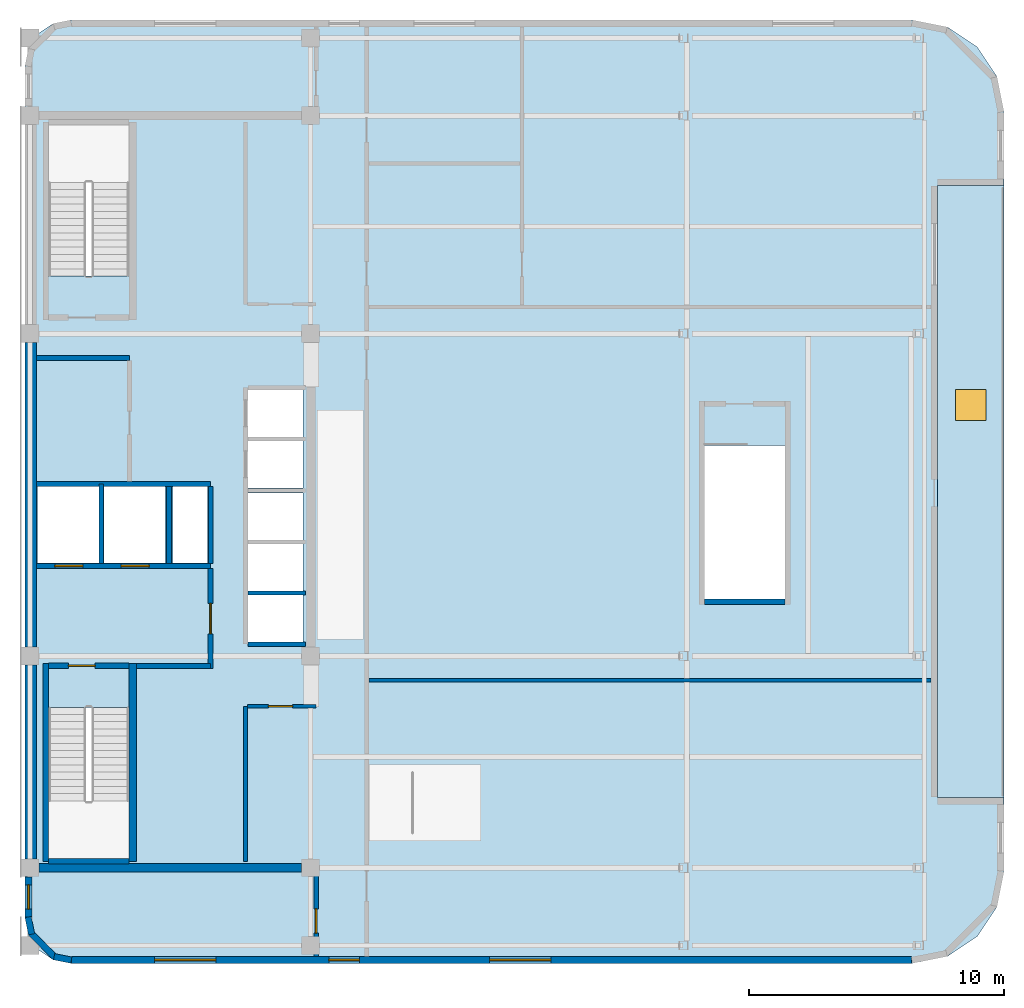
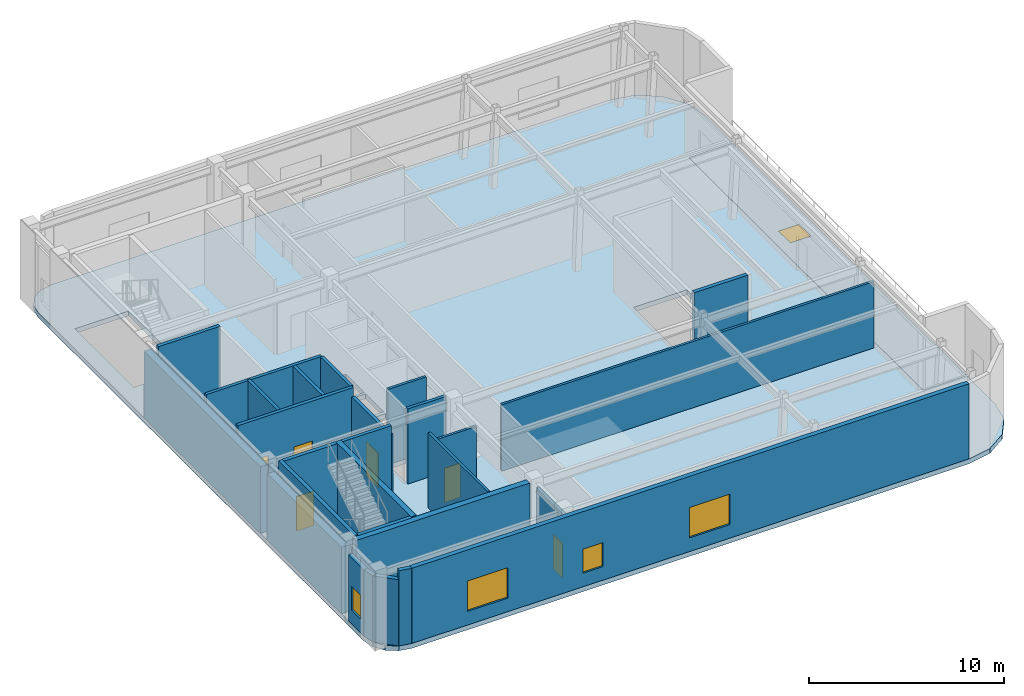
# One storey, part 2 of 6: 27 walls, 6 doors, 5 windows, 2 slabs, 11 openings.
"""IFC4 building model written with IfcOpenShell, lengths in metres."""

from ifc_helpers import new_model, si_unit, direction, frame, frame_2d, origin, origin_2d, place, context, subcontext, project, spatial, polyline, rectangle, outline, extrude, material, layer, layer_set, type_object, element, fill, save


model = new_model("IFC4")

# Units and contexts
model_context = context("Model", 3, precision=1e-05, world=origin(), true_north=direction((0.0, 1.0)))
body_context = subcontext(model_context, "Body", "Model", "MODEL_VIEW")
ifc_project = project(units=[si_unit("LENGTHUNIT", "METRE"), si_unit("AREAUNIT", "SQUARE_METRE"), si_unit("VOLUMEUNIT", "CUBIC_METRE"), si_unit("PLANEANGLEUNIT", "RADIAN"), si_unit("MASSUNIT", "GRAM", prefix="KILO")], contexts=[model_context])

# Site, building, storey
site_placement = place(None, origin())
site = spatial("IfcSite", under=ifc_project, at=site_placement, CompositionType="ELEMENT")
building_placement = place(site_placement, origin())
building = spatial("IfcBuilding", under=site, at=building_placement, Name="Ochreholt Gables", CompositionType="ELEMENT")
storey_placement = place(building_placement, frame((0.0, 0.0, 282.0)))
storey = spatial("IfcBuildingStorey", under=building, at=storey_placement, Name="L74", CompositionType="ELEMENT", Elevation=282.0)

# Slab, opening, window
ifc_material_1 = material(Name="Concrete 40 MPa", Category="concrete")
ifc_layer_1 = layer(ifc_material_1, 0.260009765625, Name="Concrete 40 MPa")
ifc_layer_set_1 = layer_set([ifc_layer_1], Name="Concrete 40 MPa")
slab_type_1 = type_object("IfcSlabType", Name="SLAB-TER-260", PredefinedType="FLOOR", material=ifc_layer_set_1)
slab_1_placement = place(storey_placement, frame((0.0, 0.0, -0.260009765625)))
slab_1 = element("IfcSlab", 1, at=slab_1_placement, inside=storey, type_object=slab_type_1, Name="L74 Outdoor Terrace Slab TR-L74-OBS", PredefinedType="FLOOR", context=body_context, shape_type="SweptSolid", body=[
    extrude(outline(polyline([(59.80029296875, 12.00048828125), (62.39990234375, 12.00048828125), (62.39990234375, 35.99951171875), (59.80029296875, 35.99951171875), (59.80029296875, 12.00048828125)])), origin(), (0.0, 0.0, 1.0), 0.260009765625),
])
opening_1_placement = place(slab_1_placement, frame((61.10009765625, 27.39990234375, 0.0)))
opening_1 = element("IfcOpeningElement", 2, at=opening_1_placement, cuts=slab_1, Name="Opening SK-1", PredefinedType="OPENING", context=body_context, shape_type="SweptSolid", body=[
    extrude(rectangle(XDim=1.199951171875, YDim=1.199951171875, at=origin_2d()), frame((0.0, 0.0, -0.010009765625)), (0.0, 0.0, 1.0), 0.280029296875),
])
ifc_material_2 = material(Name="Triple-Glazed Thermally Broken Aluminium Window", Category="aluminium")
window_type_1 = type_object("IfcWindowType", Name="SKY-TER-1200", PartitioningType="SINGLE_PANEL", PredefinedType="SKYLIGHT", material=ifc_material_2)
window_1_placement = place(opening_1_placement, frame((0.0, 0.0, 0.2099609375)))
window_1 = element("IfcWindow", 3, at=window_1_placement, inside=storey, type_object=window_type_1, Name="L74 Terrace Daylight Skylight TR-L74-OBS", OverallHeight=1.199951171875, OverallWidth=1.199951171875, PartitioningType="SINGLE_PANEL", PredefinedType="SKYLIGHT", context=body_context, shape_type="SweptSolid", body=[
    extrude(rectangle(XDim=1.199951171875, YDim=1.199951171875, at=origin_2d()), origin(), (0.0, 0.0, 1.0), 0.050048828125),
])
fill(opening_1, window_1)

# Slab
ifc_material_3 = material(Name="Concrete 50 MPa", Category="concrete")
ifc_layer_2 = layer(ifc_material_3, 0.300048828125, Name="Concrete 50 MPa")
ifc_layer_set_2 = layer_set([ifc_layer_2], Name="Concrete 50 MPa")
slab_type_2 = type_object("IfcSlabType", Name="SLAB-TRN-300", PredefinedType="FLOOR", material=ifc_layer_set_2)
slab_2_placement = place(storey_placement, frame((0.0, 0.0, -0.300048828125)))
element("IfcSlab", 4, at=slab_2_placement, inside=storey, type_object=slab_type_2, Name="L74 Structural Floor Slab", PredefinedType="FLOOR", context=body_context, shape_type="SweptSolid", body=[
    extrude(outline(polyline([(62.39990234375, 12.0), (59.800048828125, 12.0), (59.800048828125, 36.0), (62.39990234375, 36.0), (62.39990234375, 38.89990234375), (62.1259765625, 40.277587890625), (61.345703125, 41.445556640625), (60.177734375, 42.22607421875), (58.800048828125, 42.5), (25.800048828125, 42.5), (25.111083984375, 42.363037109375), (24.527099609375, 41.972900390625), (24.136962890625, 41.388916015625), (24.0, 40.699951171875), (24.0, 7.300048828125), (24.136962890625, 6.611083984375), (24.527099609375, 6.027099609375), (25.111083984375, 5.636962890625), (25.800048828125, 5.5), (58.800048828125, 5.5), (60.177734375, 5.77392578125), (61.345703125, 6.554443359375), (62.1259765625, 7.722412109375), (62.39990234375, 9.10009765625), (62.39990234375, 12.0)]), holes=[polyline([(24.919921875, 15.539306640625), (24.919921875, 9.52001953125), (28.080078125, 9.52001953125), (28.080078125, 15.539306640625), (24.919921875, 15.539306640625)]), polyline([(28.080078125, 32.460693359375), (28.080078125, 38.47998046875), (24.919921875, 38.47998046875), (24.919921875, 32.460693359375), (28.080078125, 32.460693359375)]), polyline([(50.64990234375, 25.819091796875), (50.64990234375, 19.800048828125), (53.81005859375, 19.800048828125), (53.81005859375, 25.819091796875), (50.64990234375, 25.819091796875)]), polyline([(24.5, 21.199951171875), (26.89990234375, 21.199951171875), (26.89990234375, 24.199951171875), (24.5, 24.199951171875), (24.5, 21.199951171875)]), polyline([(27.10009765625, 21.199951171875), (29.5, 21.199951171875), (29.5, 24.199951171875), (27.10009765625, 24.199951171875), (27.10009765625, 21.199951171875)]), polyline([(32.75, 18.10009765625), (34.89990234375, 18.10009765625), (34.89990234375, 19.949951171875), (32.75, 19.949951171875), (32.75, 18.10009765625)]), polyline([(32.75, 20.10009765625), (34.89990234375, 20.10009765625), (34.89990234375, 21.949951171875), (32.75, 21.949951171875), (32.75, 20.10009765625)]), polyline([(32.75, 22.10009765625), (34.89990234375, 22.10009765625), (34.89990234375, 23.949951171875), (32.75, 23.949951171875), (32.75, 22.10009765625)]), polyline([(32.75, 24.14990234375), (34.89990234375, 24.14990234375), (34.89990234375, 26.0), (32.75, 26.0), (32.75, 24.14990234375)]), polyline([(32.75, 26.14990234375), (34.89990234375, 26.14990234375), (34.89990234375, 28.0), (32.75, 28.0), (32.75, 26.14990234375)]), polyline([(29.800048828125, 21.199951171875), (31.14990234375, 21.199951171875), (31.14990234375, 24.199951171875), (29.800048828125, 24.199951171875), (29.800048828125, 21.199951171875)])]), origin(), (0.0, 0.0, 1.0), 0.300048828125),
])

# Walls
ifc_layer_3 = layer(ifc_material_3, 0.35009765625, Name="Concrete 50 MPa")
ifc_layer_set_3 = layer_set([ifc_layer_3], Name="Concrete 50 MPa")
wall_type_1 = type_object("IfcWallType", Name="WALL-CSW-350", PredefinedType="SHEAR", material=ifc_layer_set_3)
wall_1_placement = place(storey_placement, frame((24.550048828125, 9.25, 0.0), z_axis=(0.0, 0.0, 1.0), x_axis=(1.0, 0.0, 0.0)))
element("IfcWall", 5, at=wall_1_placement, inside=storey, type_object=wall_type_1, Name="L74 Core South Shear Wall", PredefinedType="SHEAR", context=body_context, shape_type="SweptSolid", body=[
    extrude(rectangle(XDim=10.300048828125, YDim=0.35009765625, at=frame_2d((5.14990234375, 0.0))), origin(), (0.0, 0.0, 1.0), 4.699951171875),
])
ifc_layer_4 = layer(ifc_material_3, 0.449951171875, Name="Concrete 50 MPa")
ifc_layer_set_4 = layer_set([ifc_layer_4], Name="Concrete 50 MPa")
wall_type_2 = type_object("IfcWallType", Name="WALL-CSW-EXT", PredefinedType="SHEAR", material=ifc_layer_set_4)
wall_2_placement = place(storey_placement, frame((24.22509765625, 9.60009765625, 0.0), z_axis=(0.0, 0.0, 1.0), x_axis=(0.0, 1.0, 0.0)))
element("IfcWall", 6, at=wall_2_placement, inside=storey, type_object=wall_type_2, Name="L74 Core West Shear Wall WS", PredefinedType="SHEAR", context=body_context, shape_type="SweptSolid", body=[
    extrude(rectangle(XDim=7.599853515625, YDim=0.449951171875, at=frame_2d((3.7998046875, 0.0))), origin(), (0.0, 0.0, 1.0), 4.160888671875),
])
wall_3_placement = place(storey_placement, frame((24.22509765625, 17.89990234375, 0.0), z_axis=(0.0, 0.0, 1.0), x_axis=(0.0, 1.0, 0.0)))
element("IfcWall", 7, at=wall_3_placement, inside=storey, type_object=wall_type_2, Name="L74 Core West Shear Wall WM", PredefinedType="SHEAR", context=body_context, shape_type="SweptSolid", body=[
    extrude(rectangle(XDim=11.9501953125, YDim=0.449951171875, at=frame_2d((5.97509765625, 0.0))), origin(), (0.0, 0.0, 1.0), 4.160888671875),
])

# Wall, openings, windows
ifc_material_4 = material(Name="Precast concrete 40 MPa", Category="concrete")
ifc_layer_5 = layer(ifc_material_4, 0.27001953125, Name="Precast concrete 40 MPa")
ifc_layer_set_5 = layer_set([ifc_layer_5], Name="Precast concrete 40 MPa")
wall_type_3 = type_object("IfcWallType", Name="WALL-EXT-270", PredefinedType="SOLIDWALL", material=ifc_layer_set_5)
wall_4_placement = place(storey_placement, frame((25.820068359375, 5.635009765625, 0.0), z_axis=(0.0, 0.0, 1.0), x_axis=(1.0, 0.0, 0.0)))
wall_4 = element("IfcWall", 8, at=wall_4_placement, inside=storey, type_object=wall_type_3, Name="L74 South Exterior Wall", PredefinedType="SOLIDWALL", context=body_context, shape_type="SweptSolid", body=[
    extrude(rectangle(XDim=32.9599609375, YDim=0.27001953125, at=frame_2d((16.47998046875, 0.0))), origin(), (0.0, 0.0, 1.0), 4.699951171875),
])
opening_2_placement = place(wall_4_placement, frame((3.27001953125, 0.0, 0.85009765625)))
opening_2 = element("IfcOpeningElement", 9, at=opening_2_placement, cuts=wall_4, Name="Opening WN-5", PredefinedType="OPENING", context=body_context, shape_type="SweptSolid", body=[
    extrude(rectangle(XDim=2.39990234375, YDim=1.89990234375, at=frame_2d((1.199951171875, 0.949951171875))), frame((0.0, 0.14501953125, 0.0), z_axis=(0.0, -1.0, 0.0), x_axis=(1.0, 0.0, 0.0)), (0.0, 0.0, 1.0), 0.2900390625),
])
opening_3_placement = place(wall_4_placement, frame((10.10009765625, 0.0, 0.85009765625)))
opening_3 = element("IfcOpeningElement", 10, at=opening_3_placement, cuts=wall_4, Name="Opening WN-3", PredefinedType="OPENING", context=body_context, shape_type="SweptSolid", body=[
    extrude(rectangle(XDim=1.199951171875, YDim=1.5, at=frame_2d((0.60009765625, 0.75))), frame((0.0, 0.14501953125, 0.0), z_axis=(0.0, -1.0, 0.0), x_axis=(1.0, 0.0, 0.0)), (0.0, 0.0, 1.0), 0.2900390625),
])
opening_4_placement = place(wall_4_placement, frame((16.40673828125, 0.0, 0.85009765625)))
opening_4 = element("IfcOpeningElement", 11, at=opening_4_placement, cuts=wall_4, Name="Opening WN-5", PredefinedType="OPENING", context=body_context, shape_type="SweptSolid", body=[
    extrude(rectangle(XDim=2.39990234375, YDim=1.89990234375, at=frame_2d((1.199951171875, 0.949951171875))), frame((0.0, 0.14501953125, 0.0), z_axis=(0.0, -1.0, 0.0), x_axis=(1.0, 0.0, 0.0)), (0.0, 0.0, 1.0), 0.2900390625),
])
window_type_2 = type_object("IfcWindowType", Name="WIN-COM-2400", PartitioningType="SINGLE_PANEL", PredefinedType="WINDOW", material=ifc_material_2)
window_2_placement = place(opening_2_placement, origin())
window_2 = element("IfcWindow", 12, at=window_2_placement, inside=storey, type_object=window_type_2, Name="L74 Window W-EXT-S-L74-1", OverallHeight=1.89990234375, OverallWidth=2.39990234375, PartitioningType="SINGLE_PANEL", PredefinedType="WINDOW", context=body_context, shape_type="SweptSolid", body=[
    extrude(rectangle(XDim=2.39990234375, YDim=1.89990234375, at=frame_2d((1.199951171875, 0.949951171875))), frame((0.0, 0.030029296875, 0.0), z_axis=(0.0, -1.0, 0.0), x_axis=(1.0, 0.0, 0.0)), (0.0, 0.0, 1.0), 0.06005859375),
])
fill(opening_2, window_2)
window_3_placement = place(opening_4_placement, origin())
window_3 = element("IfcWindow", 13, at=window_3_placement, inside=storey, type_object=window_type_2, Name="L74 Window W-EXT-S-L74-3", OverallHeight=1.89990234375, OverallWidth=2.39990234375, PartitioningType="SINGLE_PANEL", PredefinedType="WINDOW", context=body_context, shape_type="SweptSolid", body=[
    extrude(rectangle(XDim=2.39990234375, YDim=1.89990234375, at=frame_2d((1.199951171875, 0.949951171875))), frame((0.0, 0.030029296875, 0.0), z_axis=(0.0, -1.0, 0.0), x_axis=(1.0, 0.0, 0.0)), (0.0, 0.0, 1.0), 0.06005859375),
])
fill(opening_4, window_3)
window_type_3 = type_object("IfcWindowType", Name="WIN-RES-1200", PartitioningType="SINGLE_PANEL", PredefinedType="WINDOW", material=ifc_material_2)
window_4_placement = place(opening_3_placement, origin())
window_4 = element("IfcWindow", 14, at=window_4_placement, inside=storey, type_object=window_type_3, Name="L74 Window W-EXT-S-L74-2", OverallHeight=1.5, OverallWidth=1.199951171875, PartitioningType="SINGLE_PANEL", PredefinedType="WINDOW", context=body_context, shape_type="SweptSolid", body=[
    extrude(rectangle(XDim=1.199951171875, YDim=1.5, at=frame_2d((0.60009765625, 0.75))), frame((0.0, 0.030029296875, 0.0), z_axis=(0.0, -1.0, 0.0), x_axis=(1.0, 0.0, 0.0)), (0.0, 0.0, 1.0), 0.06005859375),
])
fill(opening_3, window_4)

# Wall, opening, window
wall_5_placement = place(storey_placement, frame((24.135009765625, 7.320068359375, 0.0), z_axis=(0.0, 0.0, 1.0), x_axis=(0.0, 1.0, 0.0)))
wall_5 = element("IfcWall", 15, at=wall_5_placement, inside=storey, type_object=wall_type_3, Name="L74 West Facade South Bay Wall", PredefinedType="SOLIDWALL", context=body_context, shape_type="SweptSolid", body=[
    extrude(rectangle(XDim=1.559814453125, YDim=0.27001953125, at=frame_2d((0.77978515625, 0.0))), origin(), (0.0, 0.0, 1.0), 4.14306640625),
])
opening_5_placement = place(wall_5_placement, frame((0.304931640625, 0.0, 0.85009765625)))
opening_5 = element("IfcOpeningElement", 16, at=opening_5_placement, cuts=wall_5, Name="Opening WN-10", PredefinedType="OPENING", context=body_context, shape_type="SweptSolid", body=[
    extrude(rectangle(XDim=0.949951171875, YDim=1.5, at=frame_2d((0.47509765625, 0.75))), frame((0.0, 0.14501953125, 0.0), z_axis=(0.0, -1.0, 0.0), x_axis=(1.0, 0.0, 0.0)), (0.0, 0.0, 1.0), 0.2900390625),
])
window_type_4 = type_object("IfcWindowType", Name="WIN-RES-950", PartitioningType="SINGLE_PANEL", PredefinedType="WINDOW", material=ifc_material_2)
window_5_placement = place(opening_5_placement, origin())
window_5 = element("IfcWindow", 17, at=window_5_placement, inside=storey, type_object=window_type_4, Name="L74 South Sky Lounge West Window", OverallHeight=1.5, OverallWidth=0.949951171875, PartitioningType="SINGLE_PANEL", PredefinedType="WINDOW", context=body_context, shape_type="SweptSolid", body=[
    extrude(rectangle(XDim=0.949951171875, YDim=1.5, at=frame_2d((0.47509765625, 0.75))), frame((0.0, 0.030029296875, 0.0), z_axis=(0.0, -1.0, 0.0), x_axis=(1.0, 0.0, 0.0)), (0.0, 0.0, 1.0), 0.06005859375),
])
fill(opening_5, window_5)

# Walls
ifc_layer_6 = layer(ifc_material_4, 0.25, Name="Precast concrete 40 MPa")
ifc_layer_set_6 = layer_set([ifc_layer_6], Name="Precast concrete 40 MPa")
wall_type_4 = type_object("IfcWallType", Name="WALL-EXT-CNR", PredefinedType="SOLIDWALL", material=ifc_layer_set_6)
wall_6_placement = place(storey_placement, frame((24.124267578125, 7.31640625, 0.0), z_axis=(0.0, 0.0, 1.0), x_axis=(0.194952956674, -0.980812594069, 0.0)))
element("IfcWall", 18, at=wall_6_placement, inside=storey, type_object=wall_type_4, Name="L74 Rounded Corner Wall SW-1", PredefinedType="SOLIDWALL", context=body_context, shape_type="SweptSolid", body=[
    extrude(rectangle(XDim=0.686279296875, YDim=0.25, at=frame_2d((0.34326171875, 0.0))), origin(), (0.0, 0.0, 1.0), 4.14306640625),
])
wall_7_placement = place(storey_placement, frame((24.23095703125, 6.69384765625, 0.0), z_axis=(0.0, 0.0, 1.0), x_axis=(0.707106781187, -0.707106781187, 0.0)))
element("IfcWall", 19, at=wall_7_placement, inside=storey, type_object=wall_type_4, Name="L74 Rounded Corner Wall SW-2", PredefinedType="SOLIDWALL", context=body_context, shape_type="SweptSolid", body=[
    extrude(rectangle(XDim=1.36181640625, YDim=0.25, at=frame_2d((0.680908203125, 0.0))), origin(), (0.0, 0.0, 1.0), 4.14306640625),
])
wall_8_placement = place(storey_placement, frame((25.143310546875, 5.758056640625, 0.0), z_axis=(0.0, 0.0, 1.0), x_axis=(0.980812594069, -0.194952956674, 0.0)))
element("IfcWall", 20, at=wall_8_placement, inside=storey, type_object=wall_type_4, Name="L74 Rounded Corner Wall SW-3", PredefinedType="SOLIDWALL", context=body_context, shape_type="SweptSolid", body=[
    extrude(rectangle(XDim=0.686279296875, YDim=0.25, at=frame_2d((0.34326171875, 0.0))), origin(), (0.0, 0.0, 1.0), 4.699951171875),
])

# Wall, openings, doors
ifc_layer_7 = layer(ifc_material_1, 0.199951171875, Name="Concrete 40 MPa")
ifc_layer_set_7 = layer_set([ifc_layer_7], Name="Concrete 40 MPa")
wall_type_5 = type_object("IfcWallType", Name="WALL-INT-CF200", PredefinedType="STANDARD", material=ifc_layer_set_7)
wall_9_placement = place(storey_placement, frame((24.449951171875, 21.090087890625, 0.0), z_axis=(0.0, 0.0, 1.0), x_axis=(1.0, 0.0, 0.0)))
wall_9 = element("IfcWall", 21, at=wall_9_placement, inside=storey, type_object=wall_type_5, Name="L74 Interior Wall WI-FFN-L74", PredefinedType="STANDARD", context=body_context, shape_type="SweptSolid", body=[
    extrude(rectangle(XDim=6.830078125, YDim=0.199951171875, at=frame_2d((3.4150390625, 0.0))), origin(), (0.0, 0.0, 1.0), 4.699951171875),
])
opening_6_placement = place(wall_9_placement, frame((0.719970703125, 0.0, 0.0)))
opening_6 = element("IfcOpeningElement", 22, at=opening_6_placement, cuts=wall_9, Name="Opening LD-FF", PredefinedType="OPENING", context=body_context, shape_type="SweptSolid", body=[
    extrude(rectangle(XDim=1.10009765625, YDim=2.199951171875, at=frame_2d((0.550048828125, 1.10009765625))), frame((0.0, 0.10986328125, 0.0), z_axis=(0.0, -1.0, 0.0), x_axis=(1.0, 0.0, 0.0)), (0.0, 0.0, 1.0), 0.219970703125),
])
opening_7_placement = place(wall_9_placement, frame((3.320068359375, 0.0, 0.0)))
opening_7 = element("IfcOpeningElement", 23, at=opening_7_placement, cuts=wall_9, Name="Opening LD-FF", PredefinedType="OPENING", context=body_context, shape_type="SweptSolid", body=[
    extrude(rectangle(XDim=1.10009765625, YDim=2.199951171875, at=frame_2d((0.550048828125, 1.10009765625))), frame((0.0, 0.10986328125, 0.0), z_axis=(0.0, -1.0, 0.0), x_axis=(1.0, 0.0, 0.0)), (0.0, 0.0, 1.0), 0.219970703125),
])
ifc_material_5 = material(Name="Stainless Steel", Category="steel")
door_type_1 = type_object("IfcDoorType", Name="DR-LFT-FF1100", OperationType="NOTDEFINED", PredefinedType="DOOR", material=ifc_material_5)
door_1_placement = place(opening_6_placement, origin())
door_1 = element("IfcDoor", 24, at=door_1_placement, inside=storey, type_object=door_type_1, Name="L74 Door LD-FF1-L74", OperationType="SLIDING_TO_LEFT", OverallHeight=2.199951171875, OverallWidth=1.10009765625, PredefinedType="DOOR", context=body_context, shape_type="SweptSolid", body=[
    extrude(rectangle(XDim=1.10009765625, YDim=2.199951171875, at=frame_2d((0.550048828125, 1.10009765625))), frame((0.0, 0.02490234375, 0.0), z_axis=(0.0, -1.0, 0.0), x_axis=(1.0, 0.0, 0.0)), (0.0, 0.0, 1.0), 0.050048828125),
])
fill(opening_6, door_1)
door_2_placement = place(opening_7_placement, origin())
door_2 = element("IfcDoor", 25, at=door_2_placement, inside=storey, type_object=door_type_1, Name="L74 Door LD-FF2-L74", OperationType="SLIDING_TO_LEFT", OverallHeight=2.199951171875, OverallWidth=1.10009765625, PredefinedType="DOOR", context=body_context, shape_type="SweptSolid", body=[
    extrude(rectangle(XDim=1.10009765625, YDim=2.199951171875, at=frame_2d((0.550048828125, 1.10009765625))), frame((0.0, 0.02490234375, 0.0), z_axis=(0.0, -1.0, 0.0), x_axis=(1.0, 0.0, 0.0)), (0.0, 0.0, 1.0), 0.050048828125),
])
fill(opening_7, door_2)

# Wall
wall_10_placement = place(storey_placement, frame((28.3798828125, 17.169921875, 0.0), z_axis=(0.0, 0.0, 1.0), x_axis=(1.0, 0.0, 0.0)))
element("IfcWall", 26, at=wall_10_placement, inside=storey, type_object=wall_type_5, Name="L74 Interior Wall WI-FFS-L74", PredefinedType="STANDARD", context=body_context, shape_type="SweptSolid", body=[
    extrude(rectangle(XDim=2.900146484375, YDim=0.199951171875, at=frame_2d((1.4501953125, 0.0))), origin(), (0.0, 0.0, 1.0), 4.699951171875),
])

# Wall, opening, door
wall_11_placement = place(storey_placement, frame((31.280029296875, 17.070068359375, 0.0), z_axis=(0.0, 0.0, 1.0), x_axis=(0.0, 1.0, 0.0)))
wall_11 = element("IfcWall", 27, at=wall_11_placement, inside=storey, type_object=wall_type_5, Name="L74 Interior Wall WI-FFE-L74", PredefinedType="STANDARD", context=body_context, shape_type="SweptSolid", body=[
    extrude(rectangle(XDim=3.919921875, YDim=0.199951171875, at=frame_2d((1.9599609375, 0.0))), origin(), (0.0, 0.0, 1.0), 4.14306640625),
])
opening_8_placement = place(wall_11_placement, frame((1.35009765625, 0.0, 0.0)))
opening_8 = element("IfcOpeningElement", 28, at=opening_8_placement, cuts=wall_11, Name="Opening D-FFL", PredefinedType="OPENING", context=body_context, shape_type="SweptSolid", body=[
    extrude(rectangle(XDim=1.199951171875, YDim=2.14990234375, at=frame_2d((0.60009765625, 1.074951171875))), frame((0.0, 0.10986328125, 0.0), z_axis=(0.0, -1.0, 0.0), x_axis=(1.0, 0.0, 0.0)), (0.0, 0.0, 1.0), 0.219970703125),
])
ifc_material_6 = material(Name="Hollow Metal Steel", Category="steel")
door_type_2 = type_object("IfcDoorType", Name="DR-INT-FFL1200", OperationType="NOTDEFINED", PredefinedType="DOOR", material=ifc_material_6)
door_3_placement = place(opening_8_placement, origin())
door_3 = element("IfcDoor", 29, at=door_3_placement, inside=storey, type_object=door_type_2, Name="L74 Door D-FFL-L74", OperationType="SINGLE_SWING_LEFT", OverallHeight=2.14990234375, OverallWidth=1.199951171875, PredefinedType="DOOR", context=body_context, shape_type="SweptSolid", body=[
    extrude(rectangle(XDim=1.199951171875, YDim=2.14990234375, at=frame_2d((0.60009765625, 1.074951171875))), frame((0.0, 0.02490234375, 0.0), z_axis=(0.0, -1.0, 0.0), x_axis=(1.0, 0.0, 0.0)), (0.0, 0.0, 1.0), 0.050048828125),
])
fill(opening_8, door_3)

# Wall
wall_12_placement = place(storey_placement, frame((24.449951171875, 29.239990234375, 0.0), z_axis=(0.0, 0.0, 1.0), x_axis=(1.0, 0.0, 0.0)))
element("IfcWall", 30, at=wall_12_placement, inside=storey, type_object=wall_type_5, Name="L74 Interior Wall WI-SRVN-L74", PredefinedType="STANDARD", context=body_context, shape_type="SweptSolid", body=[
    extrude(rectangle(XDim=3.650146484375, YDim=0.199951171875, at=frame_2d((1.8251953125, 0.0))), origin(), (0.0, 0.0, 1.0), 4.699951171875),
])

# Wall, opening, door
ifc_material_7 = material(Name="Fire-Rated Gypsum Acoustic Partition", Category="gypsum")
ifc_layer_8 = layer(ifc_material_7, 0.179931640625, Name="Fire-Rated Gypsum Acoustic Partition")
ifc_layer_set_8 = layer_set([ifc_layer_8], Name="Fire-Rated Gypsum Acoustic Partition")
wall_type_6 = type_object("IfcWallType", Name="WALL-INT-CR180", PredefinedType="STANDARD", material=ifc_layer_set_8)
wall_13_placement = place(storey_placement, frame((35.419921875, 5.77001953125, 0.0), z_axis=(0.0, 0.0, 1.0), x_axis=(0.0, 1.0, 0.0)))
wall_13 = element("IfcWall", 31, at=wall_13_placement, inside=storey, type_object=wall_type_6, Name="L74 Interior Wall WI-CMCSW0-L74", PredefinedType="STANDARD", context=body_context, shape_type="SweptSolid", body=[
    extrude(rectangle(XDim=3.47998046875, YDim=0.179931640625, at=frame_2d((1.739990234375, 0.0))), origin(), (0.0, 0.0, 1.0), 4.14306640625),
])
opening_9_placement = place(wall_13_placement, frame((0.919921875, 0.0, 0.0)))
opening_9 = element("IfcOpeningElement", 32, at=opening_9_placement, cuts=wall_13, Name="Opening D-GN1", PredefinedType="OPENING", context=body_context, shape_type="SweptSolid", body=[
    extrude(rectangle(XDim=0.949951171875, YDim=2.14990234375, at=frame_2d((0.47509765625, 1.074951171875))), frame((0.0, 0.099853515625, 0.0), z_axis=(0.0, -1.0, 0.0), x_axis=(1.0, 0.0, 0.0)), (0.0, 0.0, 1.0), 0.199951171875),
])
ifc_material_8 = material(Name="Engineered Oak Timber", Category="wood")
door_type_3 = type_object("IfcDoorType", Name="DR-INT-GEN950", OperationType="NOTDEFINED", PredefinedType="DOOR", material=ifc_material_8)
door_4_placement = place(opening_9_placement, origin())
door_4 = element("IfcDoor", 33, at=door_4_placement, inside=storey, type_object=door_type_3, Name="L74 Door D-CMCS-L74", OperationType="SINGLE_SWING_LEFT", OverallHeight=2.14990234375, OverallWidth=0.949951171875, PredefinedType="DOOR", context=body_context, shape_type="SweptSolid", body=[
    extrude(rectangle(XDim=0.949951171875, YDim=2.14990234375, at=frame_2d((0.47509765625, 1.074951171875))), frame((0.0, 0.02490234375, 0.0), z_axis=(0.0, -1.0, 0.0), x_axis=(1.0, 0.0, 0.0)), (0.0, 0.0, 1.0), 0.050048828125),
])
fill(opening_9, door_4)

# Walls
ifc_material_9 = material(Name="Lightweight Stud Partition", Category="gypsum")
ifc_layer_9 = layer(ifc_material_9, 0.14501953125, Name="Lightweight Stud Partition")
ifc_layer_set_9 = layer_set([ifc_layer_9], Name="Lightweight Stud Partition")
wall_type_7 = type_object("IfcWallType", Name="WALL-INT-PT145", PredefinedType="PARTITIONING", material=ifc_layer_set_9)
wall_14_placement = place(storey_placement, frame((37.489990234375, 16.60009765625, 0.0), z_axis=(0.0, 0.0, 1.0), x_axis=(1.0, 0.0, 0.0)))
element("IfcWall", 34, at=wall_14_placement, inside=storey, type_object=wall_type_7, Name="L74 Interior Wall WI-CME1-L74", PredefinedType="PARTITIONING", context=body_context, shape_type="SweptSolid", body=[
    extrude(rectangle(XDim=22.0400390625, YDim=0.14501953125, at=frame_2d((11.02001953125, 0.0))), origin(), (0.0, 0.0, 1.0), 4.14306640625),
])
wall_15_placement = place(storey_placement, frame((32.64990234375, 9.5, 0.0), z_axis=(0.0, 0.0, 1.0), x_axis=(0.0, 1.0, 0.0)))
element("IfcWall", 35, at=wall_15_placement, inside=storey, type_object=wall_type_7, Name="L74 Interior Wall WI-CMRCLW-L74", PredefinedType="PARTITIONING", context=body_context, shape_type="SweptSolid", body=[
    extrude(rectangle(XDim=6.080078125, YDim=0.14501953125, at=frame_2d((3.0400390625, 0.0))), origin(), (0.0, 0.0, 1.0), 4.699951171875),
])

# Wall, opening, door
wall_16_placement = place(storey_placement, frame((32.722412109375, 15.580078125, 0.0), z_axis=(0.0, 0.0, 1.0), x_axis=(1.0, 0.0, 0.0)))
wall_16 = element("IfcWall", 36, at=wall_16_placement, inside=storey, type_object=wall_type_7, Name="L74 Interior Wall WI-CMRCLN-L74", PredefinedType="PARTITIONING", context=body_context, shape_type="SweptSolid", body=[
    extrude(rectangle(XDim=2.697509765625, YDim=0.14501953125, at=frame_2d((1.3486328125, 0.0))), origin(), (0.0, 0.0, 1.0), 4.14306640625),
])
opening_10_placement = place(wall_16_placement, frame((0.827392578125, 0.0, 0.0)))
opening_10 = element("IfcOpeningElement", 37, at=opening_10_placement, cuts=wall_16, Name="Opening D-GN1", PredefinedType="OPENING", context=body_context, shape_type="SweptSolid", body=[
    extrude(rectangle(XDim=0.949951171875, YDim=2.14990234375, at=frame_2d((0.47509765625, 1.074951171875))), frame((0.0, 0.08251953125, 0.0), z_axis=(0.0, -1.0, 0.0), x_axis=(1.0, 0.0, 0.0)), (0.0, 0.0, 1.0), 0.1650390625),
])
door_5_placement = place(opening_10_placement, origin())
door_5 = element("IfcDoor", 38, at=door_5_placement, inside=storey, type_object=door_type_3, Name="L74 Door D-CMRCL-L74", OperationType="SINGLE_SWING_LEFT", OverallHeight=2.14990234375, OverallWidth=0.949951171875, PredefinedType="DOOR", context=body_context, shape_type="SweptSolid", body=[
    extrude(rectangle(XDim=0.949951171875, YDim=2.14990234375, at=frame_2d((0.47509765625, 1.074951171875))), frame((0.0, 0.02490234375, 0.0), z_axis=(0.0, -1.0, 0.0), x_axis=(1.0, 0.0, 0.0)), (0.0, 0.0, 1.0), 0.050048828125),
])
fill(opening_10, door_5)

# Walls
ifc_material_10 = material(Name="Gypsum Shaftliner and Steel Stud", Category="steel")
ifc_layer_10 = layer(ifc_material_10, 0.14990234375, Name="Gypsum Shaftliner and Steel Stud")
ifc_layer_set_10 = layer_set([ifc_layer_10], Name="Gypsum Shaftliner and Steel Stud")
wall_type_8 = type_object("IfcWallType", Name="WALL-INT-SH150", PredefinedType="STANDARD", material=ifc_layer_set_10)
wall_17_placement = place(storey_placement, frame((32.739990234375, 20.02001953125, 0.0), z_axis=(0.0, 0.0, 1.0), x_axis=(1.0, 0.0, 0.0)))
element("IfcWall", 39, at=wall_17_placement, inside=storey, type_object=wall_type_8, Name="L74 Interior Wall WI-LFHE-DH1-L74", PredefinedType="STANDARD", context=body_context, shape_type="SweptSolid", body=[
    extrude(rectangle(XDim=2.260009765625, YDim=0.14990234375, at=frame_2d((1.1298828125, 0.0))), origin(), (0.0, 0.0, 1.0), 4.699951171875),
])
ifc_layer_11 = layer(ifc_material_10, 0.179931640625, Name="Gypsum Shaftliner and Steel Stud")
ifc_layer_set_11 = layer_set([ifc_layer_11], Name="Gypsum Shaftliner and Steel Stud")
wall_type_9 = type_object("IfcWallType", Name="WALL-INT-SH180", PredefinedType="STANDARD", material=ifc_layer_set_11)
wall_18_placement = place(storey_placement, frame((27.0, 21.18994140625, 0.0), z_axis=(0.0, 0.0, 1.0), x_axis=(0.0, 1.0, 0.0)))
element("IfcWall", 40, at=wall_18_placement, inside=storey, type_object=wall_type_9, Name="L74 Interior Wall WI-FFDIV-L74", PredefinedType="STANDARD", context=body_context, shape_type="SweptSolid", body=[
    extrude(rectangle(XDim=3.110107421875, YDim=0.179931640625, at=frame_2d((1.55517578125, 0.0))), origin(), (0.0, 0.0, 1.0), 4.699951171875),
])
wall_19_placement = place(storey_placement, frame((24.449951171875, 24.300048828125, 0.0), z_axis=(0.0, 0.0, 1.0), x_axis=(1.0, 0.0, 0.0)))
element("IfcWall", 41, at=wall_19_placement, inside=storey, type_object=wall_type_9, Name="L74 Interior Wall WI-FFBK-L74", PredefinedType="STANDARD", context=body_context, shape_type="SweptSolid", body=[
    extrude(rectangle(XDim=6.830078125, YDim=0.179931640625, at=frame_2d((3.4150390625, 0.0))), origin(), (0.0, 0.0, 1.0), 4.699951171875),
])
for number, where, z_axis, x_axis, name in (
    (42, (29.64990234375, 21.18994140625, 0.0), (0.0, 0.0, 1.0), (0.0, 1.0, 0.0), "L74 Interior Wall WI-FFSH-L74"),
    (43, (31.280029296875, 21.18994140625, 0.0), (0.0, 0.0, 1.0), (0.0, 1.0, 0.0), "L74 Interior Wall WI-RSE-L74"),
):
    element("IfcWall", number, at=place(storey_placement, frame(where, z_axis=z_axis, x_axis=x_axis)), inside=storey, type_object=wall_type_9, Name=name, PredefinedType="STANDARD", context=body_context, shape_type="SweptSolid", body=[
        extrude(rectangle(XDim=3.02001953125, YDim=0.179931640625, at=frame_2d((1.510009765625, 0.0))), origin(), (0.0, 0.0, 1.0), 4.699951171875),
    ])
wall_20_placement = place(storey_placement, frame((32.739990234375, 18.02001953125, 0.0), z_axis=(0.0, 0.0, 1.0), x_axis=(1.0, 0.0, 0.0)))
element("IfcWall", 44, at=wall_20_placement, inside=storey, type_object=wall_type_9, Name="L74 Interior Wall WI-LFHE-S-L74", PredefinedType="STANDARD", context=body_context, shape_type="SweptSolid", body=[
    extrude(rectangle(XDim=2.260009765625, YDim=0.179931640625, at=frame_2d((1.1298828125, 0.0))), origin(), (0.0, 0.0, 1.0), 4.699951171875),
])
ifc_material_11 = material(Name="Concrete 60 MPa", Category="concrete")
ifc_layer_12 = layer(ifc_material_11, 0.300048828125, Name="Concrete 60 MPa")
ifc_layer_set_12 = layer_set([ifc_layer_12], Name="Concrete 60 MPa")
wall_type_10 = type_object("IfcWallType", Name="WALL-SPN-300", PredefinedType="SHEAR", material=ifc_layer_set_12)
wall_21_placement = place(storey_placement, frame((28.22998046875, 9.5, 0.0), z_axis=(0.0, 0.0, 1.0), x_axis=(0.0, 1.0, 0.0)))
element("IfcWall", 45, at=wall_21_placement, inside=storey, type_object=wall_type_10, Name="L74 Core South Spine Shear Wall", PredefinedType="SHEAR", context=body_context, shape_type="SweptSolid", body=[
    extrude(rectangle(XDim=7.760009765625, YDim=0.300048828125, at=frame_2d((3.8798828125, 0.0))), origin(), (0.0, 0.0, 1.0), 4.699951171875),
])
ifc_layer_13 = layer(ifc_material_3, 0.219970703125, Name="Concrete 50 MPa")
ifc_layer_set_13 = layer_set([ifc_layer_13], Name="Concrete 50 MPa")
wall_type_11 = type_object("IfcWallType", Name="WALL-STW-220", PredefinedType="SHEAR", material=ifc_layer_set_13)
wall_22_placement = place(storey_placement, frame((24.81005859375, 9.5, 0.0), z_axis=(0.0, 0.0, 1.0), x_axis=(0.0, 1.0, 0.0)))
element("IfcWall", 46, at=wall_22_placement, inside=storey, type_object=wall_type_11, Name="L74 Exit Stair 1 West Wall", PredefinedType="SHEAR", context=body_context, shape_type="SweptSolid", body=[
    extrude(rectangle(XDim=7.760009765625, YDim=0.219970703125, at=frame_2d((3.8798828125, 0.0))), origin(), (0.0, 0.0, 1.0), 4.699951171875),
])
wall_23_placement = place(storey_placement, frame((24.919921875, 9.510009765625, 0.0), z_axis=(0.0, 0.0, 1.0), x_axis=(1.0, 0.0, 0.0)))
element("IfcWall", 47, at=wall_23_placement, inside=storey, type_object=wall_type_11, Name="L74 Exit Stair 1 South Wall", PredefinedType="SHEAR", context=body_context, shape_type="SweptSolid", body=[
    extrude(rectangle(XDim=3.16015625, YDim=0.219970703125, at=frame_2d((1.580078125, 0.0))), origin(), (0.0, 0.0, 1.0), 4.699951171875),
])

# Wall, opening, door
wall_24_placement = place(storey_placement, frame((24.919921875, 17.169921875, 0.0), z_axis=(0.0, 0.0, 1.0), x_axis=(1.0, 0.0, 0.0)))
wall_24 = element("IfcWall", 48, at=wall_24_placement, inside=storey, type_object=wall_type_11, Name="L74 Exit Stair 1 North Wall", PredefinedType="SHEAR", context=body_context, shape_type="SweptSolid", body=[
    extrude(rectangle(XDim=3.16015625, YDim=0.219970703125, at=frame_2d((1.580078125, 0.0))), origin(), (0.0, 0.0, 1.0), 4.699951171875),
])
opening_11_placement = place(wall_24_placement, frame((0.780029296875, 0.0, 0.0)))
opening_11 = element("IfcOpeningElement", 49, at=opening_11_placement, cuts=wall_24, Name="Opening D-STC", PredefinedType="OPENING", context=body_context, shape_type="SweptSolid", body=[
    extrude(rectangle(XDim=1.050048828125, YDim=2.14990234375, at=frame_2d((0.52490234375, 1.074951171875))), frame((0.0, 0.119873046875, 0.0), z_axis=(0.0, -1.0, 0.0), x_axis=(1.0, 0.0, 0.0)), (0.0, 0.0, 1.0), 0.239990234375),
])
door_type_4 = type_object("IfcDoorType", Name="DR-INT-ST1050", OperationType="NOTDEFINED", PredefinedType="DOOR", material=ifc_material_6)
door_6_placement = place(opening_11_placement, frame((1.050048828125, 0.0, 0.0), z_axis=(0.0, 0.0, 1.0), x_axis=(-1.0, 0.0, 0.0)))
door_6 = element("IfcDoor", 50, at=door_6_placement, inside=storey, type_object=door_type_4, Name="L74 Door D-ST1-L74", OperationType="SINGLE_SWING_LEFT", OverallHeight=2.14990234375, OverallWidth=1.050048828125, PredefinedType="DOOR", context=body_context, shape_type="SweptSolid", body=[
    extrude(rectangle(XDim=1.050048828125, YDim=2.14990234375, at=frame_2d((0.52490234375, 1.074951171875))), frame((0.0, 0.02490234375, 0.0), z_axis=(0.0, -1.0, 0.0), x_axis=(1.0, 0.0, 0.0)), (0.0, 0.0, 1.0), 0.050048828125),
])
fill(opening_11, door_6)

# Wall
wall_25_placement = place(storey_placement, frame((50.64990234375, 19.68994140625, 0.0), z_axis=(0.0, 0.0, 1.0), x_axis=(1.0, 0.0, 0.0)))
element("IfcWall", 51, at=wall_25_placement, inside=storey, type_object=wall_type_11, Name="L74 Feature Stair ST-C7 South Wall", PredefinedType="SHEAR", context=body_context, shape_type="SweptSolid", body=[
    extrude(rectangle(XDim=3.16015625, YDim=0.219970703125, at=frame_2d((1.580078125, 0.0))), origin(), (0.0, 0.0, 1.0), 4.699951171875),
])

save(model, "model.ifc")
